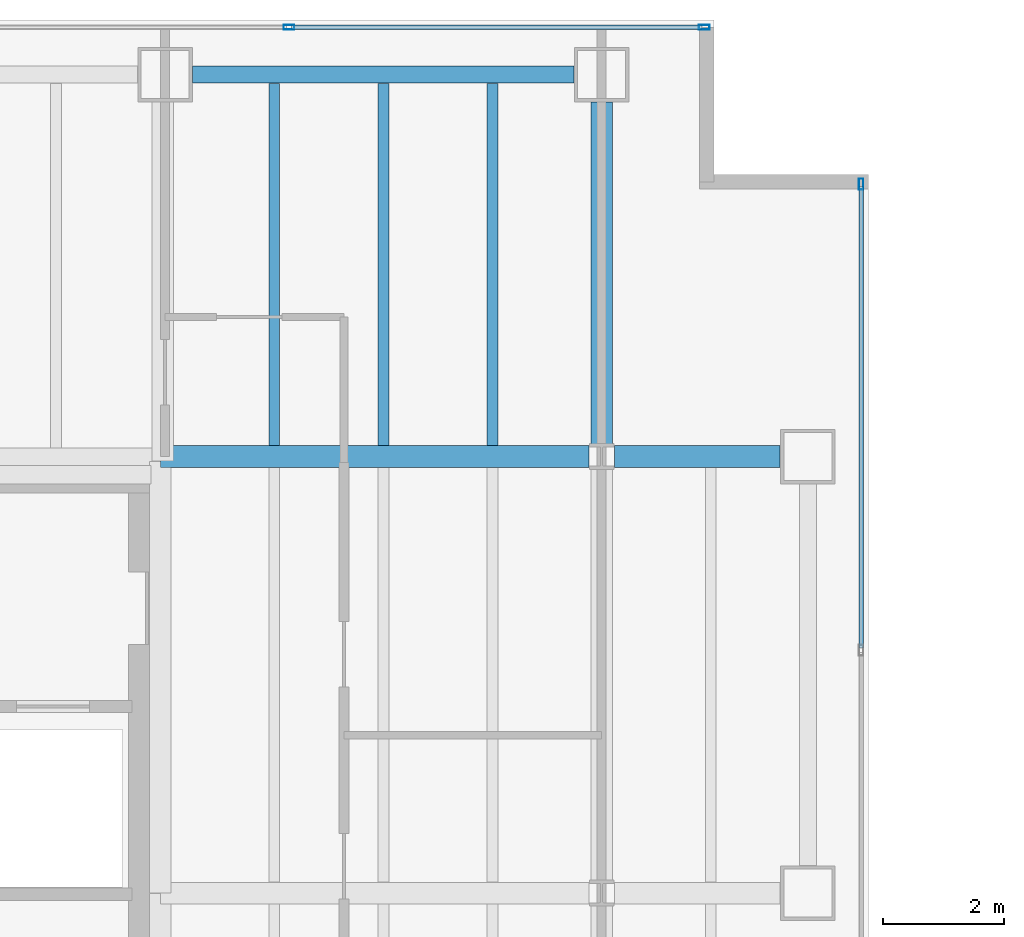
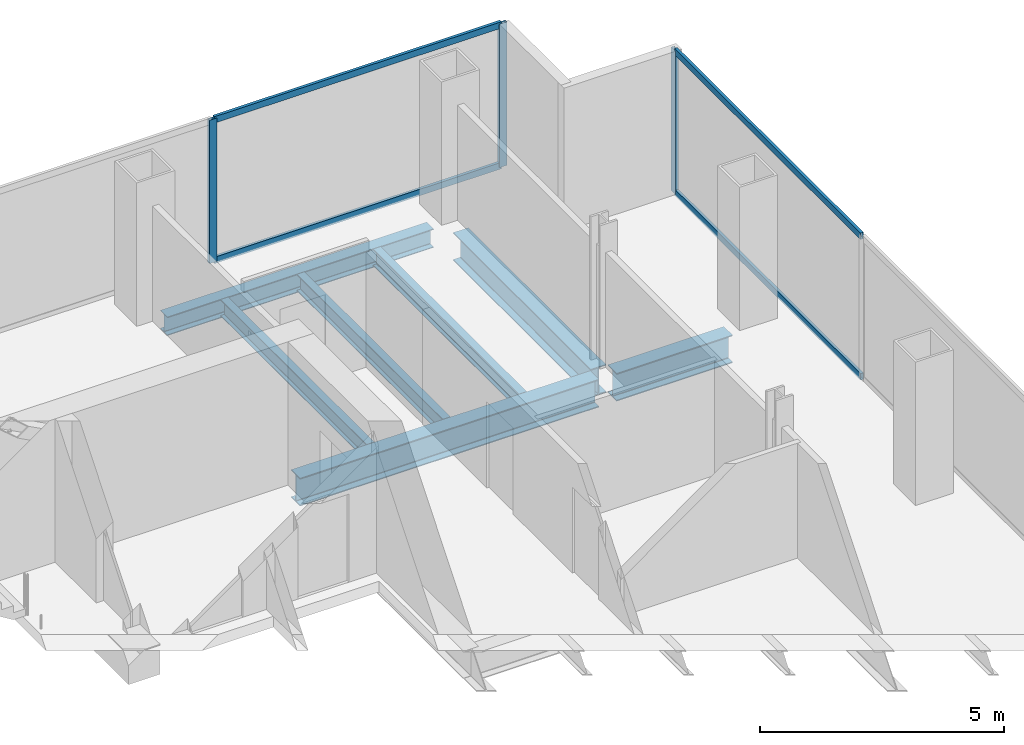
# One storey, part 18 of 23: 7 beams, 7 members, 2 elements without a shape of their own.
"""IFC4 building model written with IfcOpenShell, lengths in metres."""

from ifc_helpers import new_model, si_unit, direction, frame, origin, origin_2d, place, context, subcontext, project, spatial, hollow_rectangle, i_section, extrude, material, material_profile, profile_set, type_object, element, aggregate, save


model = new_model("IFC4")

# Units and contexts
model_context = context("Model", 3, precision=1e-05, world=origin(), true_north=direction((0.0, 1.0)))
body_context = subcontext(model_context, "Body", "Model", "MODEL_VIEW")
ifc_project = project(units=[si_unit("LENGTHUNIT", "METRE"), si_unit("AREAUNIT", "SQUARE_METRE"), si_unit("VOLUMEUNIT", "CUBIC_METRE"), si_unit("PLANEANGLEUNIT", "RADIAN"), si_unit("MASSUNIT", "GRAM", prefix="KILO")], contexts=[model_context])

# Site, building, storey
site_placement = place(None, origin())
site = spatial("IfcSite", under=ifc_project, at=site_placement, CompositionType="ELEMENT")
building_placement = place(site_placement, origin())
building = spatial("IfcBuilding", under=site, at=building_placement, Name="Cobrela Telecom Tower", CompositionType="ELEMENT")
storey_placement = place(building_placement, frame((0.0, 0.0, 133.0)))
storey = spatial("IfcBuildingStorey", under=building, at=storey_placement, Name="L33", CompositionType="ELEMENT", Elevation=133.0)

# Beams
ifc_material_1 = material(Name="Steel ASTM A992 Grade 50", Category="steel")
ifc_material_profile_1 = material_profile(ifc_material_1, i_section(OverallWidth=0.35595703125, OverallDepth=0.696044921875, WebThickness=0.015380859375, FlangeThickness=0.024658203125, FilletRadius=0.01806640625, at=origin_2d()), Name="W27X146")
ifc_profile_set_1 = profile_set([ifc_material_profile_1], Name="Steel ASTM A992 Grade 50")
beam_type_1 = type_object("IfcBeamType", Name="BM-GIRD-05", PredefinedType="USERDEFINED", material=ifc_profile_set_1)
beam_1_placement = place(storey_placement, frame((14.324951171875, 36.0, -0.617919921875), z_axis=(1.0, 0.0, 0.0), x_axis=(0.0, 1.0, 0.0)))
element("IfcBeam", 1, at=beam_1_placement, inside=storey, type_object=beam_type_1, Name="L33 Primary Girder X27", ObjectType="GIRDER", PredefinedType="USERDEFINED", context=body_context, shape_type="SweptSolid", body=[
    extrude(i_section(OverallWidth=0.35595703125, OverallDepth=0.696044921875, WebThickness=0.015380859375, FlangeThickness=0.024658203125, FilletRadius=0.01806640625, at=origin_2d()), origin(), (0.0, 0.0, 1.0), 7.0654296875),
])
beam_2_placement = place(storey_placement, frame((21.8095703125, 36.0, -0.617919921875), z_axis=(1.0, 0.0, 0.0), x_axis=(0.0, 1.0, 0.0)))
element("IfcBeam", 2, at=beam_2_placement, inside=storey, type_object=beam_type_1, Name="L33 Primary Girder X28", ObjectType="GIRDER", PredefinedType="USERDEFINED", context=body_context, shape_type="SweptSolid", body=[
    extrude(i_section(OverallWidth=0.35595703125, OverallDepth=0.696044921875, WebThickness=0.015380859375, FlangeThickness=0.024658203125, FilletRadius=0.01806640625, at=origin_2d()), origin(), (0.0, 0.0, 1.0), 2.7353515625),
])
beam_3_placement = place(storey_placement, frame((21.60009765625, 36.20947265625, -0.617919921875), z_axis=(0.0, 1.0, 0.0), x_axis=(-1.0, 0.0, 0.0)))
element("IfcBeam", 3, at=beam_3_placement, inside=storey, type_object=beam_type_1, Name="L33 Primary Girder Y44", ObjectType="GIRDER", PredefinedType="USERDEFINED", context=body_context, shape_type="SweptSolid", body=[
    extrude(i_section(OverallWidth=0.35595703125, OverallDepth=0.696044921875, WebThickness=0.015380859375, FlangeThickness=0.024658203125, FilletRadius=0.01806640625, at=origin_2d()), origin(), (0.0, 0.0, 1.0), 5.635498046875),
])
ifc_material_profile_2 = material_profile(ifc_material_1, i_section(OverallWidth=0.179931640625, OverallDepth=0.4169921875, WebThickness=0.010986328125, FlangeThickness=0.01806640625, FilletRadius=0.011962890625, at=origin_2d()), Name="W16X57")
ifc_profile_set_2 = profile_set([ifc_material_profile_2], Name="Steel ASTM A992 Grade 50")
beam_type_2 = type_object("IfcBeamType", Name="BM-JOIST-04", PredefinedType="JOIST", material=ifc_profile_set_2)
for number, where, z_axis, x_axis, name in (
    (4, (16.199951171875, 36.18310546875, -0.478515625), (0.0, 1.0, 0.0), (-1.0, 0.0, 0.0), "L33 Secondary Composite Floor Beam J08"),
    (5, (18.0, 36.18310546875, -0.478515625), (0.0, 1.0, 0.0), (-1.0, 0.0, 0.0), "L33 Secondary Composite Floor Beam J13"),
    (6, (19.800048828125, 36.18310546875, -0.478515625), (0.0, 1.0, 0.0), (-1.0, 0.0, 0.0), "L33 Secondary Composite Floor Beam J18"),
):
    element("IfcBeam", number, at=place(storey_placement, frame(where, z_axis=z_axis, x_axis=x_axis)), inside=storey, type_object=beam_type_2, Name=name, PredefinedType="JOIST", context=body_context, shape_type="SweptSolid", body=[
        extrude(i_section(OverallWidth=0.179931640625, OverallDepth=0.4169921875, WebThickness=0.010986328125, FlangeThickness=0.01806640625, FilletRadius=0.011962890625, at=origin_2d()), origin(), (0.0, 0.0, 1.0), 5.970947265625),
    ])
ifc_material_profile_3 = material_profile(ifc_material_1, i_section(OverallWidth=0.281982421875, OverallDepth=0.467041015625, WebThickness=0.01220703125, FlangeThickness=0.01953125, FilletRadius=0.012939453125, at=origin_2d()), Name="W18X86")
ifc_profile_set_3 = profile_set([ifc_material_profile_3], Name="Steel ASTM A992 Grade 50")
beam_type_3 = type_object("IfcBeamType", Name="BM-SPAND-04", PredefinedType="SPANDREL", material=ifc_profile_set_3)
beam_4_placement = place(storey_placement, frame((14.85498046875, 42.300048828125, -0.50341796875), z_axis=(1.0, 0.0, 0.0), x_axis=(0.0, 1.0, 0.0)))
element("IfcBeam", 7, at=beam_4_placement, inside=storey, type_object=beam_type_3, Name="L33 Perimeter Spandrel X30", PredefinedType="SPANDREL", context=body_context, shape_type="SweptSolid", body=[
    extrude(i_section(OverallWidth=0.281982421875, OverallDepth=0.467041015625, WebThickness=0.01220703125, FlangeThickness=0.01953125, FilletRadius=0.012939453125, at=origin_2d()), origin(), (0.0, 0.0, 1.0), 6.2900390625),
])

# Curtain wall, members
ifc_material_2 = material(Name="Anodized Bronze Aluminium 6063-T6", Category="aluminium")
curtain_wall_type = type_object("IfcCurtainWallType", Name="CW-SYS-TEL", PredefinedType="USERDEFINED", material=ifc_material_2)
curtain_wall_1_placement = place(storey_placement, origin())
curtain_wall_1 = element("IfcCurtainWall", 8, at=curtain_wall_1_placement, inside=storey, type_object=curtain_wall_type, Name="L33 Unitised Bronze Curtain Wall 07", ObjectType="UNITISED CURTAIN WALL", PredefinedType="USERDEFINED")
ifc_material_profile_4 = material_profile(ifc_material_2, hollow_rectangle(XDim=0.074951171875, YDim=0.179931640625, WallThickness=0.00390625, at=origin_2d()), Name="ALU 75x180x4")
ifc_profile_set_4 = profile_set([ifc_material_profile_4], Name="Anodized Bronze Aluminium 6063-T6")
member_type_1 = type_object("IfcMemberType", Name="CW-SYS-TEL-MUL", PredefinedType="MULLION", material=ifc_profile_set_4)
member_1_placement = place(storey_placement, frame((16.443359375, 43.080078125, 0.0), z_axis=(0.0, 0.0, 1.0), x_axis=(0.0, 1.0, 0.0)))
member_1 = element("IfcMember", 9, at=member_1_placement, type_object=member_type_1, Name="CW-TEL mullion 3", PredefinedType="MULLION", context=body_context, shape_type="SweptSolid", body=[
    extrude(hollow_rectangle(XDim=0.074951171875, YDim=0.179931640625, WallThickness=0.00390625, at=origin_2d()), origin(), (0.0, 0.0, 1.0), 3.580078125),
])
member_2_placement = place(storey_placement, frame((23.29248046875, 43.080078125, 0.0), z_axis=(0.0, 0.0, 1.0), x_axis=(0.0, 1.0, 0.0)))
member_2 = element("IfcMember", 10, at=member_2_placement, type_object=member_type_1, Name="CW-TEL mullion 4", PredefinedType="MULLION", context=body_context, shape_type="SweptSolid", body=[
    extrude(hollow_rectangle(XDim=0.074951171875, YDim=0.179931640625, WallThickness=0.00390625, at=origin_2d()), origin(), (0.0, 0.0, 1.0), 3.580078125),
])

# Curtain wall, member
curtain_wall_2_placement = place(storey_placement, origin())
curtain_wall_2 = element("IfcCurtainWall", 11, at=curtain_wall_2_placement, inside=storey, type_object=curtain_wall_type, Name="L33 Unitised Bronze Curtain Wall 10", ObjectType="UNITISED CURTAIN WALL", PredefinedType="USERDEFINED")
member_3_placement = place(storey_placement, frame((25.8798828125, 40.492431640625, 0.0), z_axis=(0.0, 0.0, 1.0), x_axis=(1.0, 0.0, 0.0)))
member_3 = element("IfcMember", 12, at=member_3_placement, type_object=member_type_1, Name="CW-TEL mullion 1", PredefinedType="MULLION", context=body_context, shape_type="SweptSolid", body=[
    extrude(hollow_rectangle(XDim=0.074951171875, YDim=0.179931640625, WallThickness=0.00390625, at=origin_2d()), origin(), (0.0, 0.0, 1.0), 3.580078125),
])

# Member
ifc_material_profile_5 = material_profile(ifc_material_2, hollow_rectangle(XDim=0.070068359375, YDim=0.159912109375, WallThickness=0.00390625, at=origin_2d()), Name="ALU 70x160x4")
ifc_profile_set_5 = profile_set([ifc_material_profile_5], Name="Anodized Bronze Aluminium 6063-T6")
member_type_2 = type_object("IfcMemberType", Name="CW-SYS-TEL-TRN", PredefinedType="USERDEFINED", material=ifc_profile_set_5)
member_4_placement = place(storey_placement, frame((16.480712890625, 43.080078125, 0.034912109375), z_axis=(1.0, 0.0, 0.0), x_axis=(0.0, 1.0, 0.0)))
member_4 = element("IfcMember", 13, at=member_4_placement, type_object=member_type_2, Name="CW-TEL transom 3.1", ObjectType="TRANSOM", PredefinedType="USERDEFINED", context=body_context, shape_type="SweptSolid", body=[
    extrude(hollow_rectangle(XDim=0.070068359375, YDim=0.159912109375, WallThickness=0.00390625, at=origin_2d()), origin(), (0.0, 0.0, 1.0), 6.774169921875),
])

member_5_placement = place(storey_placement, frame((16.480712890625, 43.080078125, 3.544921875), z_axis=(1.0, 0.0, 0.0), x_axis=(0.0, 1.0, 0.0)))
member_5 = element("IfcMember", 14, at=member_5_placement, type_object=member_type_2, Name="CW-TEL transom 3.2", ObjectType="TRANSOM", PredefinedType="USERDEFINED", context=body_context, shape_type="SweptSolid", body=[
    extrude(hollow_rectangle(XDim=0.070068359375, YDim=0.159912109375, WallThickness=0.00390625, at=origin_2d()), origin(), (0.0, 0.0, 1.0), 6.774169921875),
])

aggregate(curtain_wall_1, [member_1, member_2, member_4, member_5])

member_6_placement = place(storey_placement, frame((25.8798828125, 40.455078125, 0.034912109375), z_axis=(0.0, -1.0, 0.0), x_axis=(1.0, 0.0, 0.0)))
member_6 = element("IfcMember", 15, at=member_6_placement, type_object=member_type_2, Name="CW-TEL transom 1.1", ObjectType="TRANSOM", PredefinedType="USERDEFINED", context=body_context, shape_type="SweptSolid", body=[
    extrude(hollow_rectangle(XDim=0.070068359375, YDim=0.159912109375, WallThickness=0.00390625, at=origin_2d()), origin(), (0.0, 0.0, 1.0), 7.612548828125),
])

member_7_placement = place(storey_placement, frame((25.8798828125, 40.455078125, 3.544921875), z_axis=(0.0, -1.0, 0.0), x_axis=(1.0, 0.0, 0.0)))
member_7 = element("IfcMember", 16, at=member_7_placement, type_object=member_type_2, Name="CW-TEL transom 1.2", ObjectType="TRANSOM", PredefinedType="USERDEFINED", context=body_context, shape_type="SweptSolid", body=[
    extrude(hollow_rectangle(XDim=0.070068359375, YDim=0.159912109375, WallThickness=0.00390625, at=origin_2d()), origin(), (0.0, 0.0, 1.0), 7.612548828125),
])

aggregate(curtain_wall_2, [member_3, member_6, member_7])

save(model, "model.ifc")
